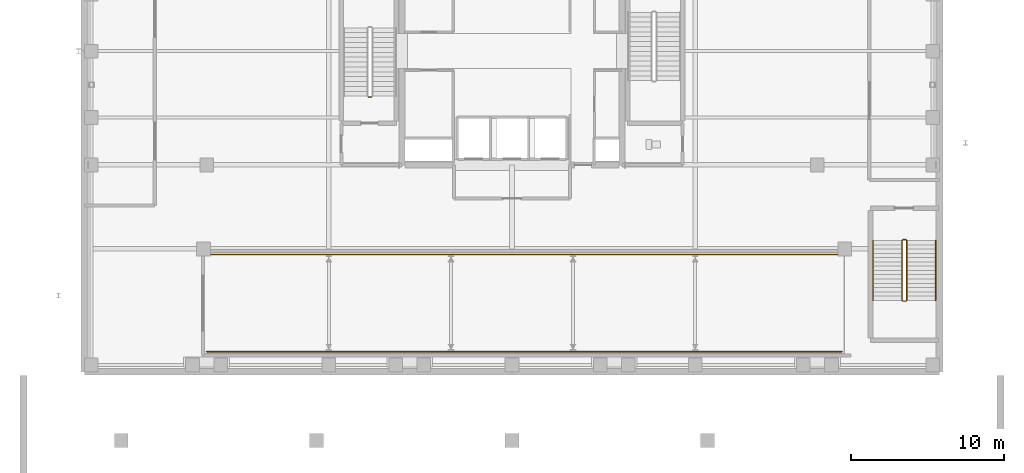
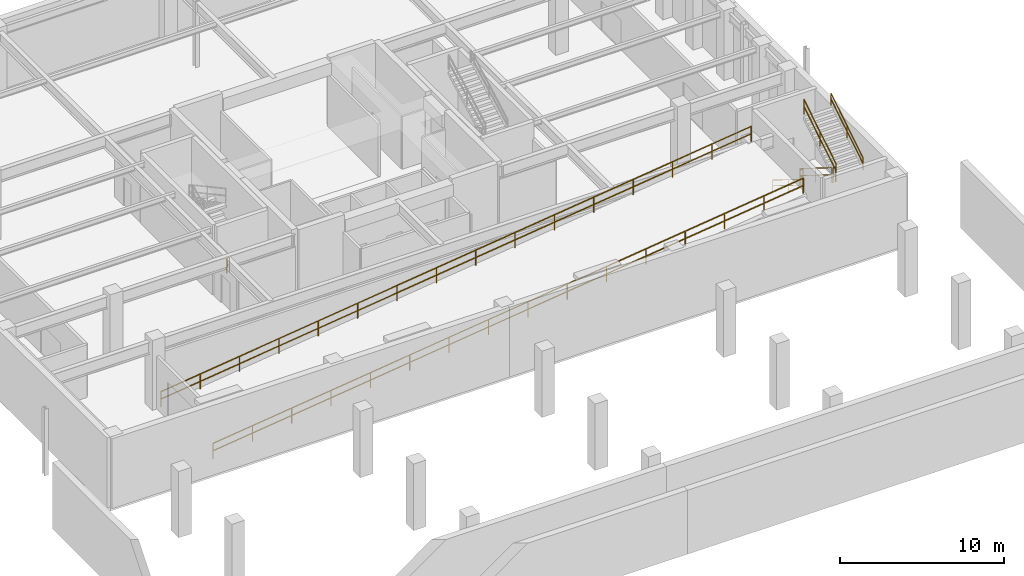
# One storey, part 14 of 16: 9 railings.
"""IFC4 building model written with IfcOpenShell, lengths in metres."""

import ifcopenshell
import ifcopenshell.guid

model = None  # the IFC model being written
_history = None  # IfcOwnerHistory: only IFC2X3 demands one
_inside = {}  # id of a spatial element -> (the spatial element, [elements in it])
_under = {}  # id of a project, library or spatial element -> (it, [spatial elements below it])
_declared = {}  # id of a project -> (the project, [libraries it declares])
_typed = {}  # id of a type object -> (the type object, [elements of that type])
_made_of = {}  # id of a material, layer set ... -> (it, [elements and type objects made of it])


def new_model(schema):
    """Start an empty IFC model of exactly this schema.

    Asked for "IFC4X3", IfcOpenShell would pick the latest addendum, in which some entities
    have other attributes; the version numbers below select the first issue.
    IFC2X3 requires an IfcOwnerHistory on every rooted entity: one is made here for all.
    """
    global model, _history
    if schema == "IFC4X3":
        model = ifcopenshell.file(schema_version=(4, 3, 0, 0))
    else:
        model = ifcopenshell.file(schema=schema)
    _inside.clear()
    _under.clear()
    _declared.clear()
    _typed.clear()
    _made_of.clear()
    _history = None
    if model.schema == "IFC2X3":
        org = make("IfcOrganization", Name="unknown")
        user = make(
            "IfcPersonAndOrganization",
            ThePerson=make("IfcPerson", FamilyName="unknown"),
            TheOrganization=org,
        )
        app = make(
            "IfcApplication",
            ApplicationDeveloper=org,
            Version="unknown",
            ApplicationFullName="unknown",
            ApplicationIdentifier="unknown",
        )
        _history = make(
            "IfcOwnerHistory",
            OwningUser=user,
            OwningApplication=app,
            ChangeAction="ADDED",
            CreationDate=0,
        )
    return model


def make(cls, **values):
    """One entity of the class cls with the attributes given. An attribute that is None is left unset."""
    return model.create_entity(
        cls, **{name: value for name, value in values.items() if value is not None}
    )


def rooted(cls, **values):
    """An entity with a GlobalId (a new one), such as an element, a storey or a relation."""
    return make(cls, GlobalId=ifcopenshell.guid.new(), OwnerHistory=_history, **values)


def si_unit(unit_type, name, prefix=None):
    """IfcSIUnit, for example si_unit("LENGTHUNIT", "METRE", prefix="MILLI")."""
    return make("IfcSIUnit", UnitType=unit_type, Prefix=prefix, Name=name)


def assignment(units):
    """IfcUnitAssignment: the units of a project."""
    return None if units is None else make("IfcUnitAssignment", Units=units)


def point(xyz):
    """IfcCartesianPoint."""
    return None if xyz is None else make("IfcCartesianPoint", Coordinates=xyz)


def direction(xyz):
    """IfcDirection."""
    return None if xyz is None else make("IfcDirection", DirectionRatios=xyz)


def frame(location, z_axis=None, x_axis=None):
    """IfcAxis2Placement3D, a coordinate frame: its origin and axes. An axis left out is left unset."""
    return make(
        "IfcAxis2Placement3D",
        Location=point(location),
        Axis=direction(z_axis),
        RefDirection=direction(x_axis),
    )


def frame_2d(location, x_axis=None):
    """IfcAxis2Placement2D, a coordinate frame in the plane: its origin and x axis."""
    return make(
        "IfcAxis2Placement2D", Location=point(location), RefDirection=direction(x_axis)
    )


def origin():
    """The frame at (0, 0, 0) with its axes left unset."""
    return frame((0.0, 0.0, 0.0))


def origin_2d():
    """The frame at (0, 0) in the plane with its x axis left unset."""
    return frame_2d((0.0, 0.0))


def place(relative_to, where):
    """IfcLocalPlacement: puts the frame where relative to a parent placement (None: the world)."""
    return make(
        "IfcLocalPlacement", PlacementRelTo=relative_to, RelativePlacement=where
    )


def context(
    kind, dimensions, precision=None, world=None, true_north=None, identifier=None
):
    """IfcGeometricRepresentationContext, for example the 3D "Model" context."""
    return make(
        "IfcGeometricRepresentationContext",
        ContextIdentifier=identifier,
        ContextType=kind,
        CoordinateSpaceDimension=dimensions,
        Precision=precision,
        WorldCoordinateSystem=world,
        TrueNorth=true_north,
    )


def subcontext(parent, identifier, kind, view, scale=None):
    """IfcGeometricRepresentationSubContext, for example "Body" below "Model"."""
    return make(
        "IfcGeometricRepresentationSubContext",
        ContextIdentifier=identifier,
        ContextType=kind,
        ParentContext=parent,
        TargetScale=scale,
        TargetView=view,
    )


def project(units=None, contexts=None):
    """IfcProject with its units and contexts."""
    return rooted(
        "IfcProject",
        Name="project",
        RepresentationContexts=contexts,
        UnitsInContext=assignment(units),
    )


def spatial(cls, under=None, at=None, **own):
    """A site, building, storey or space (cls), placed at a placement, below another one or the project."""
    s = rooted(cls, ObjectPlacement=at, **own)
    if under is not None:
        _under.setdefault(under.id(), (under, []))[1].append(s)
    return s


def profile(cls, at=None, kind="AREA", **sizes):
    """A parametric profile (cls). Its sizes go by their IFC names, for example OverallWidth=200.0."""
    return make(cls, ProfileType=kind, Position=at, **sizes)


def circle(**sizes):
    """IfcCircleProfileDef."""
    return profile("IfcCircleProfileDef", **sizes)


def extrude(swept, where, along, depth):
    """IfcExtrudedAreaSolid: the profile swept, set in the frame where, extruded along a direction by depth."""
    return make(
        "IfcExtrudedAreaSolid",
        SweptArea=swept,
        Position=where,
        ExtrudedDirection=direction(along),
        Depth=depth,
    )


def shape(context_of_items, identifier, shape_type, items):
    """IfcShapeRepresentation: the items that make up one representation, for example the "Body"."""
    return make(
        "IfcShapeRepresentation",
        ContextOfItems=context_of_items,
        RepresentationIdentifier=identifier,
        RepresentationType=shape_type,
        Items=items,
    )


def material(Name=None, Category=None):
    """IfcMaterial."""
    return make("IfcMaterial", Name=Name, Category=Category)


def made_of(thing, what):
    """Note that an element or type object is made of a material, layer set ...; save() writes the relation."""
    if what is not None:
        _made_of.setdefault(what.id(), (what, []))[1].append(thing)
    return thing


def type_object(cls, material=None, **own):
    """A type object (cls), such as IfcWallType, which elements share."""
    return made_of(rooted(cls, **own), material)


def element(
    cls,
    number,
    at=None,
    inside=None,
    cuts=None,
    type_object=None,
    material=None,
    context=None,
    identifier="Body",
    shape_type=None,
    held_by="IfcProductDefinitionShape",
    body=None,
    shapes=None,
    **own,
):
    """One element of the class cls, such as IfcWall. Its Tag is "e" and its number.

    at: its placement. inside: the storey or other place that contains it. cuts: it is an
    opening in that element (IfcRelVoidsElement). A single representation is given by context,
    identifier, shape_type and body (its items); several are given by shapes. held_by: the class
    of the entity that holds the representations. save() writes the other relations.
    """
    e = rooted(cls, Tag="e%d" % number, ObjectPlacement=at, **own)
    if body is not None:
        shapes = [shape(context, identifier, shape_type, body)]
    if shapes is not None:
        e.Representation = make(held_by, Representations=shapes)
    if inside is not None:
        _inside.setdefault(inside.id(), (inside, []))[1].append(e)
    if cuts is not None:
        rooted(
            "IfcRelVoidsElement", RelatingBuildingElement=cuts, RelatedOpeningElement=e
        )
    if type_object is not None:
        _typed.setdefault(type_object.id(), (type_object, []))[1].append(e)
    return made_of(e, material)


def aggregate(whole, parts):
    """IfcRelAggregates: a whole, such as a stair, and the parts it consists of."""
    return rooted("IfcRelAggregates", RelatingObject=whole, RelatedObjects=parts)


def save(model, path):
    """Write the relations noted so far, then the file.

    IfcRelAggregates (storeys below a building ...), IfcRelContainedInSpatialStructure (elements
    in a storey), IfcRelDefinesByType, IfcRelAssociatesMaterial and IfcRelDeclares: one each for
    every whole, place, type object, material and project.
    """
    for whole, parts in _under.values():
        aggregate(whole, parts)
    for where, things in _inside.values():
        rooted(
            "IfcRelContainedInSpatialStructure",
            RelatedElements=things,
            RelatingStructure=where,
        )
    for kind, things in _typed.values():
        rooted("IfcRelDefinesByType", RelatedObjects=things, RelatingType=kind)
    for what, things in _made_of.values():
        rooted("IfcRelAssociatesMaterial", RelatedObjects=things, RelatingMaterial=what)
    for by, libraries in _declared.values():
        rooted("IfcRelDeclares", RelatingContext=by, RelatedDefinitions=libraries)
    model.write(path)


model = new_model("IFC4")

# Units and contexts
model_context = context("Model", 3, precision=1e-05, world=origin(), true_north=direction((0.0, 1.0)))
body_context = subcontext(model_context, "Body", "Model", "MODEL_VIEW")
ifc_project = project(units=[si_unit("LENGTHUNIT", "METRE"), si_unit("AREAUNIT", "SQUARE_METRE"), si_unit("VOLUMEUNIT", "CUBIC_METRE"), si_unit("PLANEANGLEUNIT", "RADIAN"), si_unit("MASSUNIT", "GRAM", prefix="KILO")], contexts=[model_context])

# Site, building, storey
site_placement = place(None, origin())
site = spatial("IfcSite", under=ifc_project, at=site_placement, CompositionType="ELEMENT")
building_placement = place(site_placement, origin())
building = spatial("IfcBuilding", under=site, at=building_placement, Name="Veldorina Hangang Commons", CompositionType="ELEMENT")
storey_placement = place(building_placement, frame((0.0, 0.0, -5.199951171875)))
storey = spatial("IfcBuildingStorey", under=building, at=storey_placement, Name="B01", CompositionType="ELEMENT", Elevation=-5.199951171875)

# Railings
ifc_material_1 = material(Name="Steel Painted Balustrade", Category="steel")
railing_type_1 = type_object("IfcRailingType", Name="RL-GRD-STAIR", PredefinedType="GUARDRAIL", material=ifc_material_1)
railing_1_placement = place(storey_placement, frame((22.800048828125, 21.0, 0.0)))
element("IfcRailing", 1, at=railing_1_placement, inside=storey, type_object=railing_type_1, Name="B01 ST-1 stair guard 4", PredefinedType="GUARDRAIL", context=body_context, shape_type="SweptSolid", body=[
    extrude(circle(Radius=0.02392578125, at=origin_2d()), frame((0.0, 0.0, 1.076171875), z_axis=(-1.0, 0.0, 0.0), x_axis=(0.0, -1.0, 0.0)), (0.0, 0.0, 1.0), 0.199951171875),
    extrude(circle(Radius=0.02392578125, at=origin_2d()), frame((0.0, 0.0, 0.550048828125), z_axis=(-1.0, 0.0, 0.0), x_axis=(0.0, -1.0, 0.0)), (0.0, 0.0, 1.0), 0.199951171875),
    extrude(circle(Radius=0.02099609375, at=origin_2d()), origin(), (0.0, 0.0, 1.0), 1.052001953125),
    extrude(circle(Radius=0.02099609375, at=origin_2d()), frame((-0.199951171875, 0.0, 0.0)), (0.0, 0.0, 1.0), 1.052001953125),
])
railing_2_placement = place(storey_placement, frame((57.550048828125, 11.60009765625, 0.17333984375)))
element("IfcRailing", 2, at=railing_2_placement, inside=storey, type_object=railing_type_1, Name="B01 ST-P2 stair guard 1", PredefinedType="GUARDRAIL", context=body_context, shape_type="SweptSolid", body=[
    extrude(circle(Radius=0.02392578125, at=origin_2d()), frame((0.0, 0.0, 1.076171875), z_axis=(0.0, -0.850289973577, 0.526314507528), x_axis=(1.0, 0.0, 0.0)), (0.0, 0.0, 1.0), 4.6103515625),
    extrude(circle(Radius=0.02392578125, at=origin_2d()), frame((0.0, 0.0, 0.550048828125), z_axis=(0.0, -0.850289973577, 0.526314507528), x_axis=(1.0, 0.0, 0.0)), (0.0, 0.0, 1.0), 4.6103515625),
    extrude(circle(Radius=0.02099609375, at=origin_2d()), origin(), (0.0, 0.0, 1.0), 1.052001953125),
    extrude(circle(Radius=0.02099609375, at=origin_2d()), frame((0.0, -1.9599609375, 1.21337890625)), (0.0, 0.0, 1.0), 1.052001953125),
    extrude(circle(Radius=0.02099609375, at=origin_2d()), frame((0.0, -3.920166015625, 2.426513671875)), (0.0, 0.0, 1.0), 1.052001953125),
])
railing_3_placement = place(storey_placement, frame((57.60009765625, 7.6298828125, 2.599853515625)))
element("IfcRailing", 3, at=railing_3_placement, inside=storey, type_object=railing_type_1, Name="B01 ST-P2 stair guard 2", PredefinedType="GUARDRAIL", context=body_context, shape_type="SweptSolid", body=[
    extrude(circle(Radius=0.02392578125, at=origin_2d()), frame((0.0, 0.0, 1.076171875), z_axis=(1.0, 0.0, 0.0), x_axis=(0.0, 1.0, 0.0)), (0.0, 0.0, 1.0), 0.199951171875),
    extrude(circle(Radius=0.02392578125, at=origin_2d()), frame((0.0, 0.0, 0.550048828125), z_axis=(1.0, 0.0, 0.0), x_axis=(0.0, 1.0, 0.0)), (0.0, 0.0, 1.0), 0.199951171875),
    extrude(circle(Radius=0.02099609375, at=origin_2d()), origin(), (0.0, 0.0, 1.0), 1.052001953125),
    extrude(circle(Radius=0.02099609375, at=origin_2d()), frame((0.199951171875, 0.0, 0.0)), (0.0, 0.0, 1.0), 1.052001953125),
])
railing_4_placement = place(storey_placement, frame((57.85009765625, 7.679931640625, 2.773193359375)))
element("IfcRailing", 4, at=railing_4_placement, inside=storey, type_object=railing_type_1, Name="B01 ST-P2 stair guard 3", PredefinedType="GUARDRAIL", context=body_context, shape_type="SweptSolid", body=[
    extrude(circle(Radius=0.02392578125, at=origin_2d()), frame((0.0, 0.0, 1.076171875), z_axis=(0.0, 0.850266275192, 0.526352791643), x_axis=(-1.0, 0.0, 0.0)), (0.0, 0.0, 1.0), 4.610595703125),
    extrude(circle(Radius=0.02392578125, at=origin_2d()), frame((0.0, 0.0, 0.550048828125), z_axis=(0.0, 0.850266275192, 0.526352791643), x_axis=(-1.0, 0.0, 0.0)), (0.0, 0.0, 1.0), 4.610595703125),
    extrude(circle(Radius=0.02099609375, at=origin_2d()), origin(), (0.0, 0.0, 1.0), 1.052001953125),
    extrude(circle(Radius=0.02099609375, at=origin_2d()), frame((0.0, 1.9599609375, 1.21337890625)), (0.0, 0.0, 1.0), 1.052001953125),
    extrude(circle(Radius=0.02099609375, at=origin_2d()), frame((0.0, 3.920166015625, 2.4267578125)), (0.0, 0.0, 1.0), 1.052001953125),
])
railing_5_placement = place(storey_placement, frame((57.60009765625, 11.64990234375, 0.0)))
element("IfcRailing", 5, at=railing_5_placement, inside=storey, type_object=railing_type_1, Name="B01 ST-P2 stair guard 4", PredefinedType="GUARDRAIL", context=body_context, shape_type="SweptSolid", body=[
    extrude(circle(Radius=0.02392578125, at=origin_2d()), frame((0.0, 0.0, 1.076171875), z_axis=(1.0, 0.0, 0.0), x_axis=(0.0, 1.0, 0.0)), (0.0, 0.0, 1.0), 0.199951171875),
    extrude(circle(Radius=0.02392578125, at=origin_2d()), frame((0.0, 0.0, 0.550048828125), z_axis=(1.0, 0.0, 0.0), x_axis=(0.0, 1.0, 0.0)), (0.0, 0.0, 1.0), 0.199951171875),
    extrude(circle(Radius=0.02099609375, at=origin_2d()), origin(), (0.0, 0.0, 1.0), 1.052001953125),
    extrude(circle(Radius=0.02099609375, at=origin_2d()), frame((0.199951171875, 0.0, 0.0)), (0.0, 0.0, 1.0), 1.052001953125),
])
railing_6_placement = place(storey_placement, frame((12.0, 4.320068359375, 0.0)))
element("IfcRailing", 6, at=railing_6_placement, inside=storey, type_object=railing_type_1, Name="Vehicle ramp R1 S safety guard", PredefinedType="GUARDRAIL", context=body_context, shape_type="SweptSolid", body=[
    extrude(circle(Radius=0.02392578125, at=origin_2d()), frame((0.0, 0.0, 1.1259765625), z_axis=(0.992278055895, 0.0, 0.124033301129), x_axis=(0.0, 1.0, 0.0)), (0.0, 0.0, 1.0), 41.923828125),
    extrude(circle(Radius=0.02392578125, at=origin_2d()), frame((0.0, 0.0, 0.574951171875), z_axis=(0.992278055895, 0.0, 0.124033301129), x_axis=(0.0, 1.0, 0.0)), (0.0, 0.0, 1.0), 41.923828125),
    extrude(circle(Radius=0.02099609375, at=origin_2d()), origin(), (0.0, 0.0, 1.0), 1.101806640625),
    extrude(circle(Radius=0.02099609375, at=origin_2d()), frame((2.7734375, 0.0, 0.3466796875)), (0.0, 0.0, 1.0), 1.101806640625),
    extrude(circle(Radius=0.02099609375, at=origin_2d()), frame((5.546630859375, 0.0, 0.693359375)), (0.0, 0.0, 1.0), 1.101806640625),
    extrude(circle(Radius=0.02099609375, at=origin_2d()), frame((8.320068359375, 0.0, 1.0400390625)), (0.0, 0.0, 1.0), 1.101806640625),
    extrude(circle(Radius=0.02099609375, at=origin_2d()), frame((11.09326171875, 0.0, 1.38671875)), (0.0, 0.0, 1.0), 1.101806640625),
    extrude(circle(Radius=0.02099609375, at=origin_2d()), frame((13.86669921875, 0.0, 1.7333984375)), (0.0, 0.0, 1.0), 1.101806640625),
    extrude(circle(Radius=0.02099609375, at=origin_2d()), frame((16.64013671875, 0.0, 2.080078125)), (0.0, 0.0, 1.0), 1.101806640625),
    extrude(circle(Radius=0.02099609375, at=origin_2d()), frame((19.413330078125, 0.0, 2.4267578125)), (0.0, 0.0, 1.0), 1.101806640625),
    extrude(circle(Radius=0.02099609375, at=origin_2d()), frame((22.186767578125, 0.0, 2.773193359375)), (0.0, 0.0, 1.0), 1.101806640625),
    extrude(circle(Radius=0.02099609375, at=origin_2d()), frame((24.9599609375, 0.0, 3.119873046875)), (0.0, 0.0, 1.0), 1.101806640625),
    extrude(circle(Radius=0.02099609375, at=origin_2d()), frame((27.7333984375, 0.0, 3.466552734375)), (0.0, 0.0, 1.0), 1.101806640625),
    extrude(circle(Radius=0.02099609375, at=origin_2d()), frame((30.5068359375, 0.0, 3.813232421875)), (0.0, 0.0, 1.0), 1.101806640625),
    extrude(circle(Radius=0.02099609375, at=origin_2d()), frame((33.280029296875, 0.0, 4.159912109375)), (0.0, 0.0, 1.0), 1.101806640625),
    extrude(circle(Radius=0.02099609375, at=origin_2d()), frame((36.053466796875, 0.0, 4.506591796875)), (0.0, 0.0, 1.0), 1.101806640625),
    extrude(circle(Radius=0.02099609375, at=origin_2d()), frame((38.82666015625, 0.0, 4.853271484375)), (0.0, 0.0, 1.0), 1.101806640625),
    extrude(circle(Radius=0.02099609375, at=origin_2d()), frame((41.60009765625, 0.0, 5.199951171875)), (0.0, 0.0, 1.0), 1.101806640625),
])
railing_7_placement = place(storey_placement, frame((12.0, 10.679931640625, 0.0)))
element("IfcRailing", 7, at=railing_7_placement, inside=storey, type_object=railing_type_1, Name="Vehicle ramp R1 N safety guard", PredefinedType="GUARDRAIL", context=body_context, shape_type="SweptSolid", body=[
    extrude(circle(Radius=0.02392578125, at=origin_2d()), frame((0.0, 0.0, 1.1259765625), z_axis=(0.992278055895, 0.0, 0.124033301129), x_axis=(0.0, 1.0, 0.0)), (0.0, 0.0, 1.0), 41.923828125),
    extrude(circle(Radius=0.02392578125, at=origin_2d()), frame((0.0, 0.0, 0.574951171875), z_axis=(0.992278055895, 0.0, 0.124033301129), x_axis=(0.0, 1.0, 0.0)), (0.0, 0.0, 1.0), 41.923828125),
    extrude(circle(Radius=0.02099609375, at=origin_2d()), origin(), (0.0, 0.0, 1.0), 1.101806640625),
    extrude(circle(Radius=0.02099609375, at=origin_2d()), frame((2.7734375, 0.0, 0.3466796875)), (0.0, 0.0, 1.0), 1.101806640625),
    extrude(circle(Radius=0.02099609375, at=origin_2d()), frame((5.546630859375, 0.0, 0.693359375)), (0.0, 0.0, 1.0), 1.101806640625),
    extrude(circle(Radius=0.02099609375, at=origin_2d()), frame((8.320068359375, 0.0, 1.0400390625)), (0.0, 0.0, 1.0), 1.101806640625),
    extrude(circle(Radius=0.02099609375, at=origin_2d()), frame((11.09326171875, 0.0, 1.38671875)), (0.0, 0.0, 1.0), 1.101806640625),
    extrude(circle(Radius=0.02099609375, at=origin_2d()), frame((13.86669921875, 0.0, 1.7333984375)), (0.0, 0.0, 1.0), 1.101806640625),
    extrude(circle(Radius=0.02099609375, at=origin_2d()), frame((16.64013671875, 0.0, 2.080078125)), (0.0, 0.0, 1.0), 1.101806640625),
    extrude(circle(Radius=0.02099609375, at=origin_2d()), frame((19.413330078125, 0.0, 2.4267578125)), (0.0, 0.0, 1.0), 1.101806640625),
    extrude(circle(Radius=0.02099609375, at=origin_2d()), frame((22.186767578125, 0.0, 2.773193359375)), (0.0, 0.0, 1.0), 1.101806640625),
    extrude(circle(Radius=0.02099609375, at=origin_2d()), frame((24.9599609375, 0.0, 3.119873046875)), (0.0, 0.0, 1.0), 1.101806640625),
    extrude(circle(Radius=0.02099609375, at=origin_2d()), frame((27.7333984375, 0.0, 3.466552734375)), (0.0, 0.0, 1.0), 1.101806640625),
    extrude(circle(Radius=0.02099609375, at=origin_2d()), frame((30.5068359375, 0.0, 3.813232421875)), (0.0, 0.0, 1.0), 1.101806640625),
    extrude(circle(Radius=0.02099609375, at=origin_2d()), frame((33.280029296875, 0.0, 4.159912109375)), (0.0, 0.0, 1.0), 1.101806640625),
    extrude(circle(Radius=0.02099609375, at=origin_2d()), frame((36.053466796875, 0.0, 4.506591796875)), (0.0, 0.0, 1.0), 1.101806640625),
    extrude(circle(Radius=0.02099609375, at=origin_2d()), frame((38.82666015625, 0.0, 4.853271484375)), (0.0, 0.0, 1.0), 1.101806640625),
    extrude(circle(Radius=0.02099609375, at=origin_2d()), frame((41.60009765625, 0.0, 5.199951171875)), (0.0, 0.0, 1.0), 1.101806640625),
])
ifc_material_2 = material(Name="Stainless Steel Brushed 316", Category="steel")
railing_type_2 = type_object("IfcRailingType", Name="RL-HND-STAIR", PredefinedType="HANDRAIL", material=ifc_material_2)
railing_8_placement = place(storey_placement, frame((55.64990234375, 11.60009765625, 0.17333984375)))
element("IfcRailing", 8, at=railing_8_placement, inside=storey, type_object=railing_type_2, Name="B01 ST-P2 stair handrail 1", PredefinedType="HANDRAIL", context=body_context, shape_type="SweptSolid", body=[
    extrude(circle(Radius=0.02392578125, at=origin_2d()), frame((0.0, 0.0, 0.8759765625), z_axis=(0.0, -0.850289973577, 0.526314507528), x_axis=(1.0, 0.0, 0.0)), (0.0, 0.0, 1.0), 4.6103515625),
    extrude(circle(Radius=0.02392578125, at=origin_2d()), frame((0.0, 0.0, 0.449951171875), z_axis=(0.0, -0.850289973577, 0.526314507528), x_axis=(1.0, 0.0, 0.0)), (0.0, 0.0, 1.0), 4.6103515625),
    extrude(circle(Radius=0.02099609375, at=origin_2d()), origin(), (0.0, 0.0, 1.0), 0.851806640625),
    extrude(circle(Radius=0.02099609375, at=origin_2d()), frame((0.0, -1.9599609375, 1.21337890625)), (0.0, 0.0, 1.0), 0.851806640625),
    extrude(circle(Radius=0.02099609375, at=origin_2d()), frame((0.0, -3.920166015625, 2.426513671875)), (0.0, 0.0, 1.0), 0.851806640625),
])
railing_9_placement = place(storey_placement, frame((59.75, 7.679931640625, 2.773193359375)))
element("IfcRailing", 9, at=railing_9_placement, inside=storey, type_object=railing_type_2, Name="B01 ST-P2 stair handrail 2", PredefinedType="HANDRAIL", context=body_context, shape_type="SweptSolid", body=[
    extrude(circle(Radius=0.02392578125, at=origin_2d()), frame((0.0, 0.0, 0.8759765625), z_axis=(0.0, 0.850266275192, 0.526352791643), x_axis=(-1.0, 0.0, 0.0)), (0.0, 0.0, 1.0), 4.610595703125),
    extrude(circle(Radius=0.02392578125, at=origin_2d()), frame((0.0, 0.0, 0.449951171875), z_axis=(0.0, 0.850266275192, 0.526352791643), x_axis=(-1.0, 0.0, 0.0)), (0.0, 0.0, 1.0), 4.610595703125),
    extrude(circle(Radius=0.02099609375, at=origin_2d()), origin(), (0.0, 0.0, 1.0), 0.851806640625),
    extrude(circle(Radius=0.02099609375, at=origin_2d()), frame((0.0, 1.9599609375, 1.21337890625)), (0.0, 0.0, 1.0), 0.851806640625),
    extrude(circle(Radius=0.02099609375, at=origin_2d()), frame((0.0, 3.920166015625, 2.4267578125)), (0.0, 0.0, 1.0), 0.851806640625),
])

save(model, "model.ifc")
